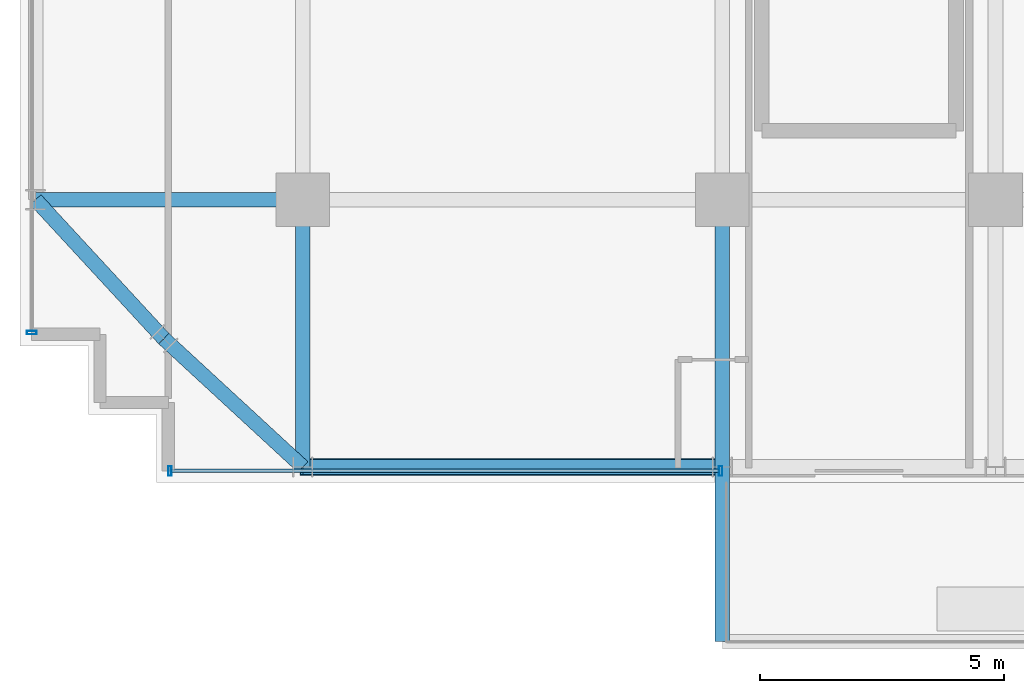
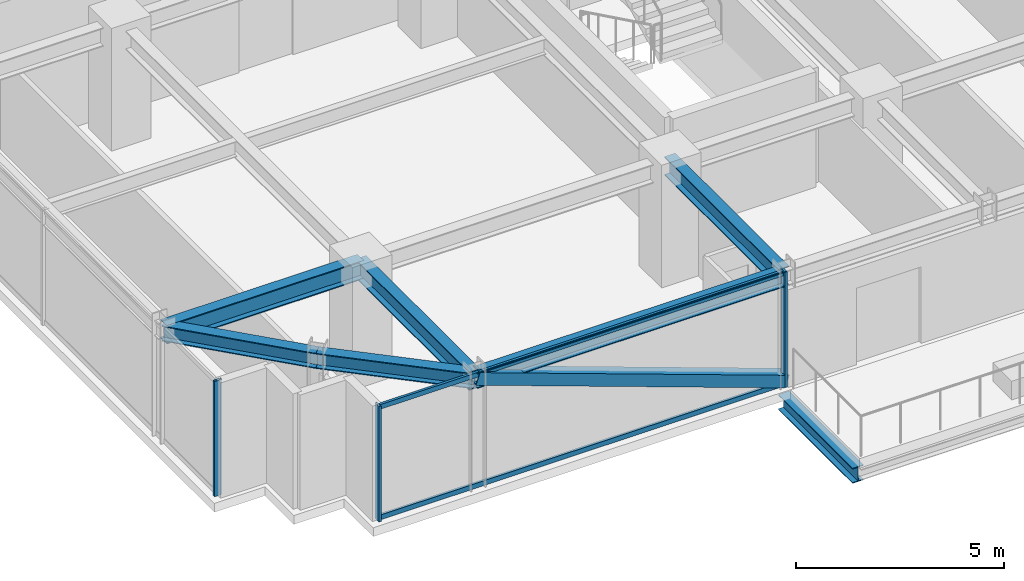
# One storey, part 2 of 38: 7 beams, 6 members, 2 elements without a shape of their own.
"""IFC4 building model written with IfcOpenShell, lengths in metres."""

import ifcopenshell
import ifcopenshell.guid

model = None  # the IFC model being written
_history = None  # IfcOwnerHistory: only IFC2X3 demands one
_inside = {}  # id of a spatial element -> (the spatial element, [elements in it])
_under = {}  # id of a project, library or spatial element -> (it, [spatial elements below it])
_declared = {}  # id of a project -> (the project, [libraries it declares])
_typed = {}  # id of a type object -> (the type object, [elements of that type])
_made_of = {}  # id of a material, layer set ... -> (it, [elements and type objects made of it])


def new_model(schema):
    """Start an empty IFC model of exactly this schema.

    Asked for "IFC4X3", IfcOpenShell would pick the latest addendum, in which some entities
    have other attributes; the version numbers below select the first issue.
    IFC2X3 requires an IfcOwnerHistory on every rooted entity: one is made here for all.
    """
    global model, _history
    if schema == "IFC4X3":
        model = ifcopenshell.file(schema_version=(4, 3, 0, 0))
    else:
        model = ifcopenshell.file(schema=schema)
    _inside.clear()
    _under.clear()
    _declared.clear()
    _typed.clear()
    _made_of.clear()
    _history = None
    if model.schema == "IFC2X3":
        org = make("IfcOrganization", Name="unknown")
        user = make(
            "IfcPersonAndOrganization",
            ThePerson=make("IfcPerson", FamilyName="unknown"),
            TheOrganization=org,
        )
        app = make(
            "IfcApplication",
            ApplicationDeveloper=org,
            Version="unknown",
            ApplicationFullName="unknown",
            ApplicationIdentifier="unknown",
        )
        _history = make(
            "IfcOwnerHistory",
            OwningUser=user,
            OwningApplication=app,
            ChangeAction="ADDED",
            CreationDate=0,
        )
    return model


def make(cls, **values):
    """One entity of the class cls with the attributes given. An attribute that is None is left unset."""
    return model.create_entity(
        cls, **{name: value for name, value in values.items() if value is not None}
    )


def rooted(cls, **values):
    """An entity with a GlobalId (a new one), such as an element, a storey or a relation."""
    return make(cls, GlobalId=ifcopenshell.guid.new(), OwnerHistory=_history, **values)


def si_unit(unit_type, name, prefix=None):
    """IfcSIUnit, for example si_unit("LENGTHUNIT", "METRE", prefix="MILLI")."""
    return make("IfcSIUnit", UnitType=unit_type, Prefix=prefix, Name=name)


def assignment(units):
    """IfcUnitAssignment: the units of a project."""
    return None if units is None else make("IfcUnitAssignment", Units=units)


def point(xyz):
    """IfcCartesianPoint."""
    return None if xyz is None else make("IfcCartesianPoint", Coordinates=xyz)


def direction(xyz):
    """IfcDirection."""
    return None if xyz is None else make("IfcDirection", DirectionRatios=xyz)


def frame(location, z_axis=None, x_axis=None):
    """IfcAxis2Placement3D, a coordinate frame: its origin and axes. An axis left out is left unset."""
    return make(
        "IfcAxis2Placement3D",
        Location=point(location),
        Axis=direction(z_axis),
        RefDirection=direction(x_axis),
    )


def frame_2d(location, x_axis=None):
    """IfcAxis2Placement2D, a coordinate frame in the plane: its origin and x axis."""
    return make(
        "IfcAxis2Placement2D", Location=point(location), RefDirection=direction(x_axis)
    )


def origin():
    """The frame at (0, 0, 0) with its axes left unset."""
    return frame((0.0, 0.0, 0.0))


def origin_2d():
    """The frame at (0, 0) in the plane with its x axis left unset."""
    return frame_2d((0.0, 0.0))


def place(relative_to, where):
    """IfcLocalPlacement: puts the frame where relative to a parent placement (None: the world)."""
    return make(
        "IfcLocalPlacement", PlacementRelTo=relative_to, RelativePlacement=where
    )


def context(
    kind, dimensions, precision=None, world=None, true_north=None, identifier=None
):
    """IfcGeometricRepresentationContext, for example the 3D "Model" context."""
    return make(
        "IfcGeometricRepresentationContext",
        ContextIdentifier=identifier,
        ContextType=kind,
        CoordinateSpaceDimension=dimensions,
        Precision=precision,
        WorldCoordinateSystem=world,
        TrueNorth=true_north,
    )


def subcontext(parent, identifier, kind, view, scale=None):
    """IfcGeometricRepresentationSubContext, for example "Body" below "Model"."""
    return make(
        "IfcGeometricRepresentationSubContext",
        ContextIdentifier=identifier,
        ContextType=kind,
        ParentContext=parent,
        TargetScale=scale,
        TargetView=view,
    )


def project(units=None, contexts=None):
    """IfcProject with its units and contexts."""
    return rooted(
        "IfcProject",
        Name="project",
        RepresentationContexts=contexts,
        UnitsInContext=assignment(units),
    )


def spatial(cls, under=None, at=None, **own):
    """A site, building, storey or space (cls), placed at a placement, below another one or the project."""
    s = rooted(cls, ObjectPlacement=at, **own)
    if under is not None:
        _under.setdefault(under.id(), (under, []))[1].append(s)
    return s


def profile(cls, at=None, kind="AREA", **sizes):
    """A parametric profile (cls). Its sizes go by their IFC names, for example OverallWidth=200.0."""
    return make(cls, ProfileType=kind, Position=at, **sizes)


def hollow_rectangle(**sizes):
    """IfcRectangleHollowProfileDef."""
    return profile("IfcRectangleHollowProfileDef", **sizes)


def i_section(**sizes):
    """IfcIShapeProfileDef."""
    return profile("IfcIShapeProfileDef", **sizes)


def extrude(swept, where, along, depth):
    """IfcExtrudedAreaSolid: the profile swept, set in the frame where, extruded along a direction by depth."""
    return make(
        "IfcExtrudedAreaSolid",
        SweptArea=swept,
        Position=where,
        ExtrudedDirection=direction(along),
        Depth=depth,
    )


def shape(context_of_items, identifier, shape_type, items):
    """IfcShapeRepresentation: the items that make up one representation, for example the "Body"."""
    return make(
        "IfcShapeRepresentation",
        ContextOfItems=context_of_items,
        RepresentationIdentifier=identifier,
        RepresentationType=shape_type,
        Items=items,
    )


def source(mapping_origin, context_of_items, identifier, shape_type, items):
    """IfcRepresentationMap: a shape defined once, which mapped items show again and again."""
    return make(
        "IfcRepresentationMap",
        MappingOrigin=mapping_origin,
        MappedRepresentation=shape(context_of_items, identifier, shape_type, items),
    )


def transform(
    local_origin,
    x_axis=None,
    y_axis=None,
    z_axis=None,
    scale=None,
    scale2=None,
    scale3=None,
    uniform=True,
):
    """IfcCartesianTransformationOperator3D, or its non-uniform kind. x_axis, y_axis, z_axis: its Axis1, 2, 3."""
    if uniform:
        return make(
            "IfcCartesianTransformationOperator3D",
            Axis1=direction(x_axis),
            Axis2=direction(y_axis),
            LocalOrigin=point(local_origin),
            Scale=scale,
            Axis3=direction(z_axis),
        )
    return make(
        "IfcCartesianTransformationOperator3DnonUniform",
        Axis1=direction(x_axis),
        Axis2=direction(y_axis),
        LocalOrigin=point(local_origin),
        Scale=scale,
        Axis3=direction(z_axis),
        Scale2=scale2,
        Scale3=scale3,
    )


def mapped(mapping_source, mapping_target):
    """IfcMappedItem: shows the shape of a source again, moved by a transform."""
    return make(
        "IfcMappedItem", MappingSource=mapping_source, MappingTarget=mapping_target
    )


def material(Name=None, Category=None):
    """IfcMaterial."""
    return make("IfcMaterial", Name=Name, Category=Category)


def material_profile(
    of_material, cross_section, Name=None, Category=None, Priority=None
):
    """IfcMaterialProfile: a cross section and its material."""
    return make(
        "IfcMaterialProfile",
        Name=Name,
        Material=of_material,
        Profile=cross_section,
        Priority=Priority,
        Category=Category,
    )


def profile_set(profiles, Name=None, composite=None):
    """IfcMaterialProfileSet."""
    return make(
        "IfcMaterialProfileSet",
        Name=Name,
        MaterialProfiles=profiles,
        CompositeProfile=composite,
    )


def made_of(thing, what):
    """Note that an element or type object is made of a material, layer set ...; save() writes the relation."""
    if what is not None:
        _made_of.setdefault(what.id(), (what, []))[1].append(thing)
    return thing


def type_object(cls, material=None, **own):
    """A type object (cls), such as IfcWallType, which elements share."""
    return made_of(rooted(cls, **own), material)


def element(
    cls,
    number,
    at=None,
    inside=None,
    cuts=None,
    type_object=None,
    material=None,
    context=None,
    identifier="Body",
    shape_type=None,
    held_by="IfcProductDefinitionShape",
    body=None,
    shapes=None,
    **own,
):
    """One element of the class cls, such as IfcWall. Its Tag is "e" and its number.

    at: its placement. inside: the storey or other place that contains it. cuts: it is an
    opening in that element (IfcRelVoidsElement). A single representation is given by context,
    identifier, shape_type and body (its items); several are given by shapes. held_by: the class
    of the entity that holds the representations. save() writes the other relations.
    """
    e = rooted(cls, Tag="e%d" % number, ObjectPlacement=at, **own)
    if body is not None:
        shapes = [shape(context, identifier, shape_type, body)]
    if shapes is not None:
        e.Representation = make(held_by, Representations=shapes)
    if inside is not None:
        _inside.setdefault(inside.id(), (inside, []))[1].append(e)
    if cuts is not None:
        rooted(
            "IfcRelVoidsElement", RelatingBuildingElement=cuts, RelatedOpeningElement=e
        )
    if type_object is not None:
        _typed.setdefault(type_object.id(), (type_object, []))[1].append(e)
    return made_of(e, material)


def aggregate(whole, parts):
    """IfcRelAggregates: a whole, such as a stair, and the parts it consists of."""
    return rooted("IfcRelAggregates", RelatingObject=whole, RelatedObjects=parts)


def save(model, path):
    """Write the relations noted so far, then the file.

    IfcRelAggregates (storeys below a building ...), IfcRelContainedInSpatialStructure (elements
    in a storey), IfcRelDefinesByType, IfcRelAssociatesMaterial and IfcRelDeclares: one each for
    every whole, place, type object, material and project.
    """
    for whole, parts in _under.values():
        aggregate(whole, parts)
    for where, things in _inside.values():
        rooted(
            "IfcRelContainedInSpatialStructure",
            RelatedElements=things,
            RelatingStructure=where,
        )
    for kind, things in _typed.values():
        rooted("IfcRelDefinesByType", RelatedObjects=things, RelatingType=kind)
    for what, things in _made_of.values():
        rooted("IfcRelAssociatesMaterial", RelatedObjects=things, RelatingMaterial=what)
    for by, libraries in _declared.values():
        rooted("IfcRelDeclares", RelatingContext=by, RelatedDefinitions=libraries)
    model.write(path)


model = new_model("IFC4")

# Units and contexts
model_context = context("Model", 3, precision=1e-05, world=origin(), true_north=direction((0.0, 1.0)))
body_context = subcontext(model_context, "Body", "Model", "MODEL_VIEW")
ifc_project = project(units=[si_unit("LENGTHUNIT", "METRE"), si_unit("AREAUNIT", "SQUARE_METRE"), si_unit("VOLUMEUNIT", "CUBIC_METRE"), si_unit("PLANEANGLEUNIT", "RADIAN"), si_unit("MASSUNIT", "GRAM", prefix="KILO")], contexts=[model_context])

# Site, building, storey
site_placement = place(None, origin())
site = spatial("IfcSite", under=ifc_project, at=site_placement, CompositionType="ELEMENT")
building_placement = place(site_placement, origin())
building = spatial("IfcBuilding", under=site, at=building_placement, Name="Nahalor Promenade Grand Hotel", CompositionType="ELEMENT")
storey_placement = place(building_placement, frame((0.0, 0.0, 163.60009765625)))
storey = spatial("IfcBuildingStorey", under=building, at=storey_placement, Name="L41", CompositionType="ELEMENT", Elevation=163.60009765625)

# Beams
ifc_material_1 = material(Name="Steel S355JR", Category="steel")
ifc_material_profile_1 = material_profile(ifc_material_1, i_section(OverallWidth=0.3, OverallDepth=0.45, WebThickness=0.014, FlangeThickness=0.026, at=origin_2d()), Name="HEB 450")
ifc_profile_set_1 = profile_set([ifc_material_profile_1], Name="Steel S355JR")
beam_type_1 = type_object("IfcBeamType", Name="Beam-Outrigger-HEB450", PredefinedType="BEAM", material=ifc_profile_set_1)
shared_shape_1 = source(origin(), body_context, "Body", "SweptSolid", [
    extrude(i_section(OverallWidth=0.3, OverallDepth=0.45, WebThickness=0.014, FlangeThickness=0.026, at=origin_2d()), origin(), (0.0, 0.0, 1.0), 3.580078125),
])
beam_1_placement = place(storey_placement, frame((-8.39990234375, -26.06005859375, -0.505126953125), z_axis=(0.0, 1.0, 0.0), x_axis=(-1.0, 0.0, 0.0)))
element("IfcBeam", 1, at=beam_1_placement, inside=storey, type_object=beam_type_1, Name="BM-L41-BC-01-1", PredefinedType="BEAM", context=body_context, shape_type="MappedRepresentation", body=[
    mapped(shared_shape_1, transform((0.0, 0.0, 0.0), scale=1.0)),
])
ifc_material_profile_2 = material_profile(ifc_material_1, i_section(OverallWidth=0.3, OverallDepth=0.55, WebThickness=0.015, FlangeThickness=0.029, at=origin_2d()), Name="HEB 550")
ifc_profile_set_2 = profile_set([ifc_material_profile_2], Name="Steel S355JR")
beam_type_2 = type_object("IfcBeamType", Name="Beam-Girder-HEB550", PredefinedType="BEAM", material=ifc_profile_set_2)
shared_shape_2 = source(origin(), body_context, "Body", "SweptSolid", [
    extrude(i_section(OverallWidth=0.3, OverallDepth=0.55, WebThickness=0.015, FlangeThickness=0.029, at=origin_2d()), origin(), (0.0, 0.0, 1.0), 5.47998046875),
])
for number, where, z_axis, x_axis, name in (
    (2, (-22.47998046875, -17.0, 3.114990234375), (1.0, 0.0, 0.0), (0.0, 1.0, 0.0), "BM-L41-GX-0-0"),
    (3, (-17.0, -22.47998046875, 3.114990234375), (0.0, 1.0, 0.0), (-1.0, 0.0, 0.0), "BM-L41-GY-0-0"),
    (4, (-8.39990234375, -22.47998046875, 3.114990234375), (0.0, 1.0, 0.0), (-1.0, 0.0, 0.0), "BM-L41-GY-1-0"),
):
    element("IfcBeam", number, at=place(storey_placement, frame(where, z_axis=z_axis, x_axis=x_axis)), inside=storey, type_object=beam_type_2, Name=name, PredefinedType="BEAM", context=body_context, shape_type="MappedRepresentation", body=[
        mapped(shared_shape_2, transform((0.0, 0.0, 0.0), scale=1.0)),
    ])
ifc_material_profile_3 = material_profile(ifc_material_1, i_section(OverallWidth=0.3, OverallDepth=0.45, WebThickness=0.014, FlangeThickness=0.026, at=origin_2d()), Name="HEB 450")
ifc_profile_set_3 = profile_set([ifc_material_profile_3], Name="Steel S355JR")
beam_type_3 = type_object("IfcBeamType", Name="Beam-Spandrel-HEB450", PredefinedType="SPANDREL", material=ifc_profile_set_3)
shared_shape_3 = source(origin(), body_context, "Body", "SweptSolid", [
    extrude(i_section(OverallWidth=0.3, OverallDepth=0.45, WebThickness=0.014, FlangeThickness=0.026, at=origin_2d()), origin(), (0.0, 0.0, 1.0), 8.60009765625),
])
beam_2_placement = place(storey_placement, frame((-17.0, -22.47998046875, 3.164794921875), z_axis=(1.0, 0.0, 0.0), x_axis=(0.0, 1.0, 0.0)))
element("IfcBeam", 5, at=beam_2_placement, inside=storey, type_object=beam_type_3, Name="BM-L41-SP-S-0", PredefinedType="SPANDREL", context=body_context, shape_type="MappedRepresentation", body=[
    mapped(shared_shape_3, transform((0.0, 0.0, 0.0), scale=1.0)),
])
shared_shape_4 = source(origin(), body_context, "Body", "SweptSolid", [
    extrude(i_section(OverallWidth=0.3, OverallDepth=0.45, WebThickness=0.014, FlangeThickness=0.026, at=origin_2d()), origin(), (0.0, 0.0, 1.0), 3.878173828125),
])
for number, where, z_axis, x_axis, name in (
    (6, (-17.0, -22.47998046875, 3.164794921875), (-0.73492893846, 0.678144125843, 0.0), (-0.678144125843, -0.73492893846, 0.0), "BM-L41-SPC-SW-1"),
    (7, (-19.85009765625, -19.85009765625, 3.164794921875), (-0.678144125843, 0.73492893846, 0.0), (-0.73492893846, -0.678144125843, 0.0), "BM-L41-SPC-SW-2"),
):
    element("IfcBeam", number, at=place(storey_placement, frame(where, z_axis=z_axis, x_axis=x_axis)), inside=storey, type_object=beam_type_3, Name=name, PredefinedType="SPANDREL", context=body_context, shape_type="MappedRepresentation", body=[
        mapped(shared_shape_4, transform((0.0, 0.0, 0.0), scale=1.0)),
    ])

# Member
ifc_material_profile_4 = material_profile(ifc_material_1, hollow_rectangle(XDim=0.35, YDim=0.35, WallThickness=0.02, at=origin_2d()), Name="SHS 350x350x20")
ifc_profile_set_4 = profile_set([ifc_material_profile_4], Name="Steel S355JR")
member_type_1 = type_object("IfcMemberType", Name="Mem-VoidBrace-SHS350", PredefinedType="BRACE", material=ifc_profile_set_4)
shared_shape_5 = source(origin(), body_context, "Body", "SweptSolid", [
    extrude(hollow_rectangle(XDim=0.35, YDim=0.35, WallThickness=0.02, at=origin_2d()), origin(), (0.0, 0.0, 1.0), 9.138427734375),
])
member_1_placement = place(storey_placement, frame((-8.39990234375, -22.47998046875, 0.14990234375), z_axis=(-0.941094643271, 0.0, 0.338143272012), x_axis=(0.0, -1.0, 0.0)))
element("IfcMember", 8, at=member_1_placement, inside=storey, type_object=member_type_1, Name="EXO-L41-S-0", PredefinedType="BRACE", context=body_context, shape_type="MappedRepresentation", body=[
    mapped(shared_shape_5, transform((0.0, 0.0, 0.0), scale=1.0)),
])

# Curtain wall, members
ifc_material_2 = material(Name="Anodised Bronze Aluminium EN AW-6063 T6", Category="aluminium")
curtain_wall_type = type_object("IfcCurtainWallType", Name="CW3 Elliptical-Void Collar Unitised Curtain Wall", PredefinedType="USERDEFINED", material=ifc_material_2)
curtain_wall_1_placement = place(storey_placement, origin())
curtain_wall_1 = element("IfcCurtainWall", 9, at=curtain_wall_1_placement, inside=storey, type_object=curtain_wall_type, Name="L41 Curtain Wall CW-L41-S-1", ObjectType="UNITISED_CURTAIN_WALL", PredefinedType="USERDEFINED")
ifc_material_profile_5 = material_profile(ifc_material_2, hollow_rectangle(XDim=0.07, YDim=0.14, WallThickness=0.004, at=origin_2d()), Name="CWT 70x140x4")
ifc_profile_set_5 = profile_set([ifc_material_profile_5], Name="Anodised Bronze Aluminium EN AW-6063 T6")
member_type_2 = type_object("IfcMemberType", Name="CWT3 Void Collar Transom 70x140", PredefinedType="USERDEFINED", material=ifc_profile_set_5)
shared_shape_6 = source(origin(), body_context, "Body", "SweptSolid", [
    extrude(hollow_rectangle(XDim=0.07, YDim=0.14, WallThickness=0.004, at=origin_2d()), origin(), (0.0, 0.0, 1.0), 11.219970703125),
])
member_2_placement = place(storey_placement, frame((-19.68994140625, -22.56005859375, 0.06982421875), z_axis=(1.0, 0.0, 0.0), x_axis=(0.0, 1.0, 0.0)))
member_2 = element("IfcMember", 10, at=member_2_placement, type_object=member_type_2, Name="CW-L41-S-1 Transom 0-0", ObjectType="TRANSOM", PredefinedType="USERDEFINED", context=body_context, shape_type="MappedRepresentation", body=[
    mapped(shared_shape_6, transform((0.0, 0.0, 0.0), scale=1.0)),
])
member_3_placement = place(storey_placement, frame((-19.68994140625, -22.56005859375, 3.31982421875), z_axis=(1.0, 0.0, 0.0), x_axis=(0.0, 1.0, 0.0)))
member_3 = element("IfcMember", 11, at=member_3_placement, type_object=member_type_2, Name="CW-L41-S-1 Transom 0-1", ObjectType="TRANSOM", PredefinedType="USERDEFINED", context=body_context, shape_type="MappedRepresentation", body=[
    mapped(shared_shape_6, transform((0.0, 0.0, 0.0), scale=1.0)),
])
ifc_material_profile_6 = material_profile(ifc_material_2, hollow_rectangle(XDim=0.07, YDim=0.2, WallThickness=0.005, at=origin_2d()), Name="CWM 70x200x5")
ifc_profile_set_6 = profile_set([ifc_material_profile_6], Name="Anodised Bronze Aluminium EN AW-6063 T6")
member_type_3 = type_object("IfcMemberType", Name="CWM3 Void Collar Mullion 70x200", PredefinedType="MULLION", material=ifc_profile_set_6)
shared_shape_7 = source(origin(), body_context, "Body", "SweptSolid", [
    extrude(hollow_rectangle(XDim=0.07, YDim=0.2, WallThickness=0.005, at=origin_2d()), origin(), (0.0, 0.0, 1.0), 3.389892578125),
])
member_4_placement = place(storey_placement, frame((-19.72509765625, -22.56005859375, 0.0), z_axis=(0.0, 0.0, 1.0), x_axis=(1.0, 0.0, 0.0)))
member_4 = element("IfcMember", 12, at=member_4_placement, type_object=member_type_3, Name="CW-L41-S-1 Mullion 0", PredefinedType="MULLION", context=body_context, shape_type="MappedRepresentation", body=[
    mapped(shared_shape_7, transform((0.0, 0.0, 0.0), scale=1.0)),
])
member_5_placement = place(storey_placement, frame((-8.43505859375, -22.56005859375, 0.0), z_axis=(0.0, 0.0, 1.0), x_axis=(1.0, 0.0, 0.0)))
member_5 = element("IfcMember", 13, at=member_5_placement, type_object=member_type_3, Name="CW-L41-S-1 Mullion 1", PredefinedType="MULLION", context=body_context, shape_type="MappedRepresentation", body=[
    mapped(shared_shape_7, transform((0.0, 0.0, 0.0), scale=1.0)),
])
aggregate(curtain_wall_1, [member_4, member_5, member_2, member_3])

# Curtain wall, member
curtain_wall_2_placement = place(storey_placement, origin())
curtain_wall_2 = element("IfcCurtainWall", 14, at=curtain_wall_2_placement, inside=storey, type_object=curtain_wall_type, Name="L41 Curtain Wall CW-L41-W-1", ObjectType="UNITISED_CURTAIN_WALL", PredefinedType="USERDEFINED")
member_6_placement = place(storey_placement, frame((-22.56005859375, -19.72509765625, 0.0), z_axis=(0.0, 0.0, 1.0), x_axis=(0.0, 1.0, 0.0)))
member_6 = element("IfcMember", 15, at=member_6_placement, type_object=member_type_3, Name="CW-L41-W-1 Mullion 0", PredefinedType="MULLION", context=body_context, shape_type="MappedRepresentation", body=[
    mapped(shared_shape_7, transform((0.0, 0.0, 0.0), scale=1.0)),
])
aggregate(curtain_wall_2, [member_6])

save(model, "model.ifc")
